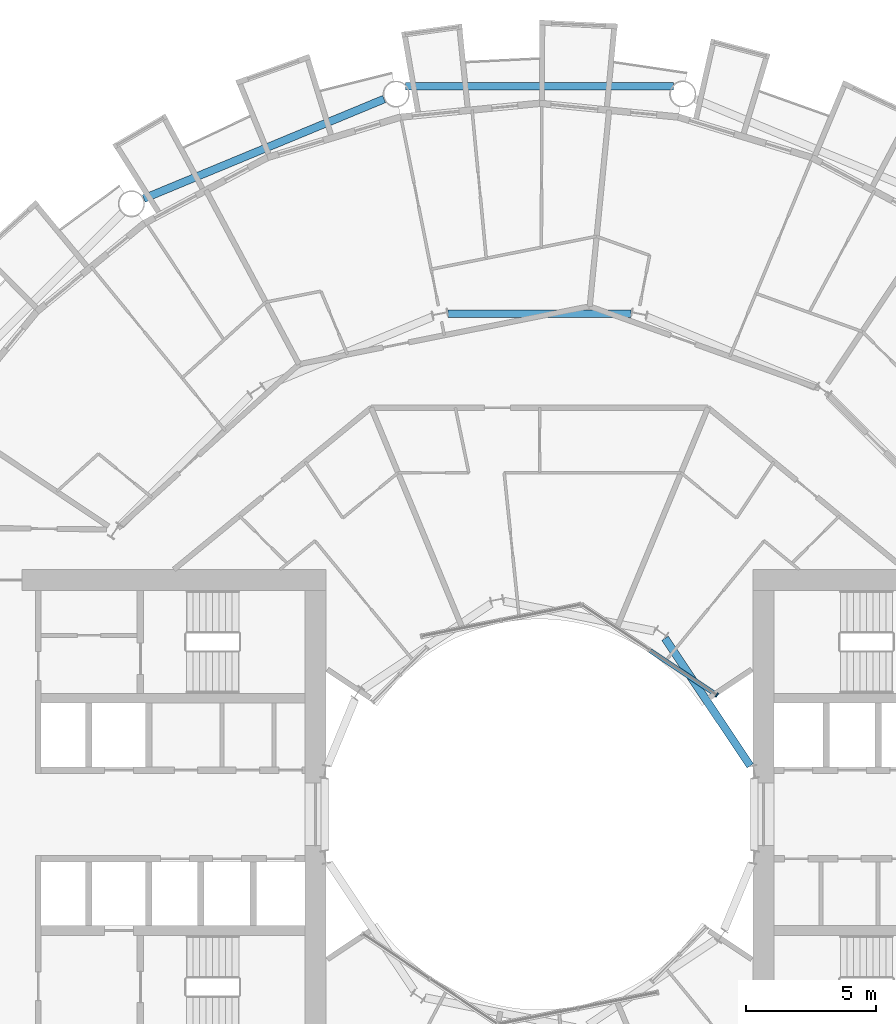
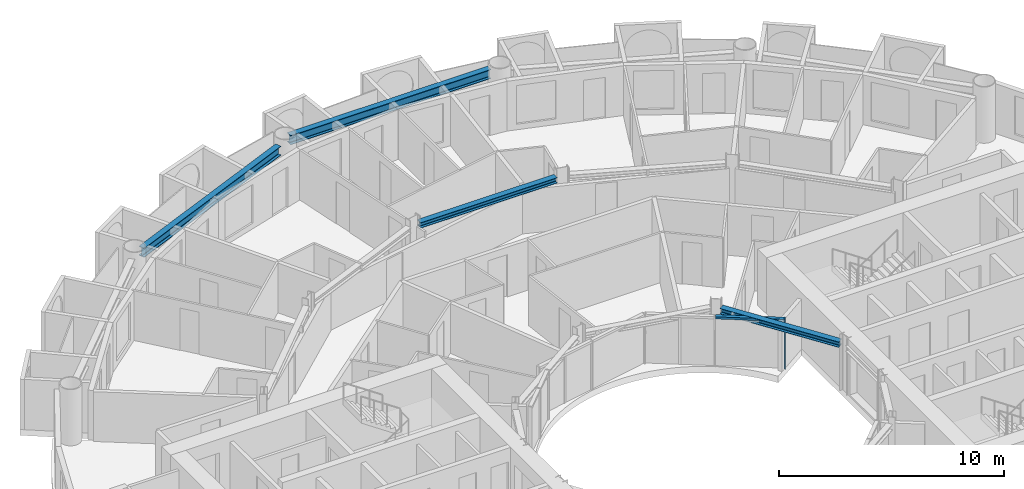
# One storey, part 8 of 26: 4 beams, 2 members, 1 element without a shape of its own.
"""IFC4 building model written with IfcOpenShell, lengths in metres."""

from ifc_helpers import new_model, si_unit, direction, frame, origin, origin_2d, place, context, subcontext, project, spatial, rectangle, i_section, extrude, material, layer, layer_set, material_profile, profile_set, type_object, element, aggregate, save


model = new_model("IFC4")

# Units and contexts
model_context = context("Model", 3, precision=1e-05, world=origin(), true_north=direction((0.0, 1.0)))
body_context = subcontext(model_context, "Body", "Model", "MODEL_VIEW")
ifc_project = project(units=[si_unit("LENGTHUNIT", "METRE"), si_unit("AREAUNIT", "SQUARE_METRE"), si_unit("VOLUMEUNIT", "CUBIC_METRE"), si_unit("PLANEANGLEUNIT", "RADIAN"), si_unit("MASSUNIT", "GRAM", prefix="KILO")], contexts=[model_context])

# Site, building, storey
site_placement = place(None, origin())
site = spatial("IfcSite", under=ifc_project, at=site_placement, CompositionType="ELEMENT")
building_placement = place(site_placement, origin())
building = spatial("IfcBuilding", under=site, at=building_placement, Name="Maasbend Ring Residences", CompositionType="ELEMENT")
storey_placement = place(building_placement, frame((0.0, 0.0, 35.0)))
storey = spatial("IfcBuildingStorey", under=building, at=storey_placement, Name="L09", CompositionType="ELEMENT", Elevation=35.0)

# Curtain wall, members
ifc_material_1 = material(Name="Aluminium and clear glass", Category="aluminium")
ifc_layer = layer(ifc_material_1, 0.179931640625)
ifc_layer_set = layer_set([ifc_layer], Name="CW-W")
curtain_wall_type = type_object("IfcCurtainWallType", Name="CW-W", PredefinedType="NOTDEFINED", material=ifc_layer_set)
curtain_wall_placement = place(storey_placement, origin())
curtain_wall = element("IfcCurtainWall", 1, at=curtain_wall_placement, inside=storey, type_object=curtain_wall_type, Name="Well curtain wall N1", PredefinedType="NOTDEFINED")
ifc_material_2 = material(Name="Aluminium 6063-T6", Category="aluminium")
ifc_material_profile_1 = material_profile(ifc_material_2, rectangle(XDim=0.179931640625, YDim=0.06005859375, at=origin_2d()), Name="AL 180x60")
ifc_profile_set_1 = profile_set([ifc_material_profile_1], Name="Aluminium 6063-T6")
member_type_1 = type_object("IfcMemberType", Name="CWM-W", PredefinedType="MULLION", material=ifc_profile_set_1)
member_1_placement = place(storey_placement, frame((6.805908203125, 4.580810546875, 0.0), z_axis=(0.0, 0.0, 1.0), x_axis=(-0.55557023302, -0.831469612303, 0.0)))
member_1 = element("IfcMember", 2, at=member_1_placement, type_object=member_type_1, Name="Mullion well face", PredefinedType="MULLION", context=body_context, shape_type="SweptSolid", body=[
    extrude(rectangle(XDim=0.179931640625, YDim=0.06005859375, at=origin_2d()), origin(), (0.0, 0.0, 1.0), 2.699951171875),
])
ifc_material_3 = material(Name="Aluminium 6063-T6", Category="aluminium")
ifc_material_profile_2 = material_profile(ifc_material_3, rectangle(XDim=0.179931640625, YDim=0.1201171875, at=origin_2d()), Name="AL 180x120")
ifc_profile_set_2 = profile_set([ifc_material_profile_2], Name="Aluminium 6063-T6")
member_type_2 = type_object("IfcMemberType", Name="CWT-W", PredefinedType="USERDEFINED", material=ifc_profile_set_2)
member_2_placement = place(storey_placement, frame((6.781005859375, 4.59765625, 2.639892578125), z_axis=(-0.831496422459, 0.555530106689, 0.0), x_axis=(-0.555530106689, -0.831496422459, 0.0)))
member_2 = element("IfcMember", 3, at=member_2_placement, type_object=member_type_2, Name="Transom well face", ObjectType="TRANSOM", PredefinedType="USERDEFINED", context=body_context, shape_type="SweptSolid", body=[
    extrude(rectangle(XDim=0.179931640625, YDim=0.1201171875, at=origin_2d()), origin(), (0.0, 0.0, 1.0), 3.053955078125),
])
aggregate(curtain_wall, [member_1, member_2])

# Beams
ifc_material_4 = material(Name="Steel S355J2", Category="steel")
ifc_material_profile_3 = material_profile(ifc_material_4, i_section(OverallWidth=0.300048828125, OverallDepth=0.300048828125, WebThickness=0.010986328125, FlangeThickness=0.01904296875, FilletRadius=0.027099609375, at=origin_2d()), Name="HEB 300")
ifc_profile_set_3 = profile_set([ifc_material_profile_3], Name="Steel S355J2")
beam_type_1 = type_object("IfcBeamType", Name="Corridor ring beam HEB 300", PredefinedType="BEAM", material=ifc_profile_set_3)
beam_1_placement = place(storey_placement, frame((3.5078125, 19.223388671875, 2.550048828125), z_axis=(-1.0, 0.0, 0.0), x_axis=(0.0, -1.0, 0.0)))
element("IfcBeam", 4, at=beam_1_placement, inside=storey, type_object=beam_type_1, Name="Corridor ring beam", PredefinedType="BEAM", context=body_context, shape_type="SweptSolid", body=[
    extrude(i_section(OverallWidth=0.300048828125, OverallDepth=0.300048828125, WebThickness=0.010986328125, FlangeThickness=0.01904296875, FilletRadius=0.027099609375, at=origin_2d()), origin(), (0.0, 0.0, 1.0), 7.015625),
])
ifc_material_5 = material(Name="Steel S355J2", Category="steel")
ifc_material_profile_4 = material_profile(ifc_material_5, i_section(OverallWidth=0.300048828125, OverallDepth=0.5, WebThickness=0.014404296875, FlangeThickness=0.028076171875, FilletRadius=0.027099609375, at=origin_2d()), Name="HEB 500")
ifc_profile_set_4 = profile_set([ifc_material_profile_4], Name="Steel S355J2")
beam_type_2 = type_object("IfcBeamType", Name="Spandrel ring beam HEB 500", PredefinedType="SPANDREL", material=ifc_profile_set_4)
beam_2_placement = place(storey_placement, frame((5.1435546875, 27.9580078125, 2.449951171875), z_axis=(-1.0, 0.0, 0.0), x_axis=(0.0, -1.0, 0.0)))
element("IfcBeam", 5, at=beam_2_placement, inside=storey, type_object=beam_type_2, Name="Spandrel ring beam", PredefinedType="SPANDREL", context=body_context, shape_type="SweptSolid", body=[
    extrude(i_section(OverallWidth=0.300048828125, OverallDepth=0.5, WebThickness=0.014404296875, FlangeThickness=0.028076171875, FilletRadius=0.027099609375, at=origin_2d()), origin(), (0.0, 0.0, 1.0), 10.287109375),
])
beam_3_placement = place(storey_placement, frame((-5.970703125, 27.463623046875, 2.449951171875), z_axis=(-0.923886337442, -0.382667003395, 0.0), x_axis=(0.382667003395, -0.923886337442, 0.0)))
element("IfcBeam", 6, at=beam_3_placement, inside=storey, type_object=beam_type_2, Name="Spandrel ring beam", PredefinedType="SPANDREL", context=body_context, shape_type="SweptSolid", body=[
    extrude(i_section(OverallWidth=0.300048828125, OverallDepth=0.5, WebThickness=0.014404296875, FlangeThickness=0.028076171875, FilletRadius=0.027099609375, at=origin_2d()), origin(), (0.0, 0.0, 1.0), 9.9873046875),
])
ifc_material_6 = material(Name="Steel S355J2", Category="steel")
ifc_material_profile_5 = material_profile(ifc_material_6, i_section(OverallWidth=0.300048828125, OverallDepth=0.300048828125, WebThickness=0.010986328125, FlangeThickness=0.01904296875, FilletRadius=0.027099609375, at=origin_2d()), Name="HEB 300")
ifc_profile_set_5 = profile_set([ifc_material_profile_5], Name="Steel S355J2")
beam_type_3 = type_object("IfcBeamType", Name="Well edge beam HEB 300", PredefinedType="BEAM", material=ifc_profile_set_5)
beam_4_placement = place(storey_placement, frame((8.08837890625, 1.86376953125, 2.550048828125), z_axis=(-0.555589782054, 0.831456549723, 0.0), x_axis=(-0.831456549723, -0.555589782054, 0.0)))
element("IfcBeam", 7, at=beam_4_placement, inside=storey, type_object=beam_type_3, Name="Well edge beam", PredefinedType="BEAM", context=body_context, shape_type="SweptSolid", body=[
    extrude(i_section(OverallWidth=0.300048828125, OverallDepth=0.300048828125, WebThickness=0.010986328125, FlangeThickness=0.01904296875, FilletRadius=0.027099609375, at=origin_2d()), origin(), (0.0, 0.0, 1.0), 5.887939453125),
])

save(model, "model.ifc")
